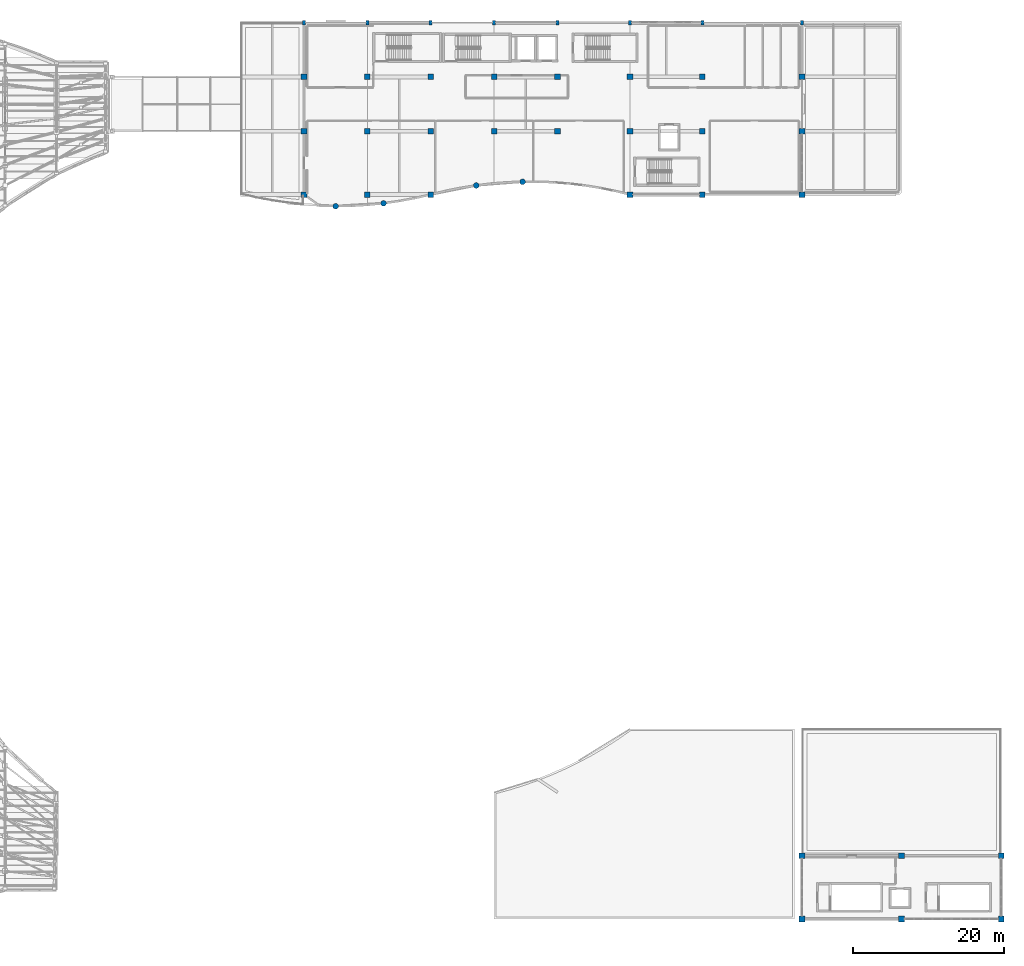
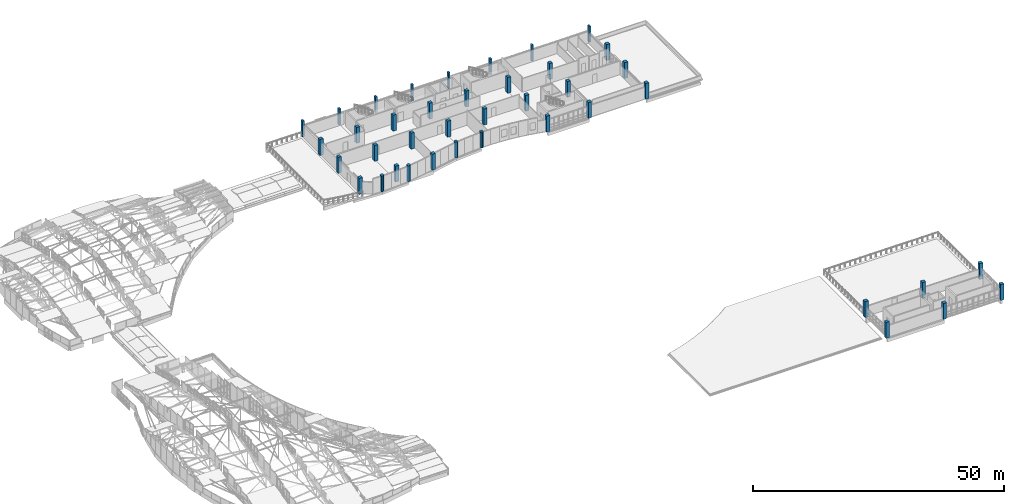
# One storey, part 1 of 188: 40 columns.
"""IFC4 building model written with IfcOpenShell, lengths in metres."""

import ifcopenshell
import ifcopenshell.guid

model = None  # the IFC model being written
_history = None  # IfcOwnerHistory: only IFC2X3 demands one
_inside = {}  # id of a spatial element -> (the spatial element, [elements in it])
_under = {}  # id of a project, library or spatial element -> (it, [spatial elements below it])
_declared = {}  # id of a project -> (the project, [libraries it declares])
_typed = {}  # id of a type object -> (the type object, [elements of that type])
_made_of = {}  # id of a material, layer set ... -> (it, [elements and type objects made of it])


def new_model(schema):
    """Start an empty IFC model of exactly this schema.

    Asked for "IFC4X3", IfcOpenShell would pick the latest addendum, in which some entities
    have other attributes; the version numbers below select the first issue.
    IFC2X3 requires an IfcOwnerHistory on every rooted entity: one is made here for all.
    """
    global model, _history
    if schema == "IFC4X3":
        model = ifcopenshell.file(schema_version=(4, 3, 0, 0))
    else:
        model = ifcopenshell.file(schema=schema)
    _inside.clear()
    _under.clear()
    _declared.clear()
    _typed.clear()
    _made_of.clear()
    _history = None
    if model.schema == "IFC2X3":
        org = make("IfcOrganization", Name="unknown")
        user = make(
            "IfcPersonAndOrganization",
            ThePerson=make("IfcPerson", FamilyName="unknown"),
            TheOrganization=org,
        )
        app = make(
            "IfcApplication",
            ApplicationDeveloper=org,
            Version="unknown",
            ApplicationFullName="unknown",
            ApplicationIdentifier="unknown",
        )
        _history = make(
            "IfcOwnerHistory",
            OwningUser=user,
            OwningApplication=app,
            ChangeAction="ADDED",
            CreationDate=0,
        )
    return model


def make(cls, **values):
    """One entity of the class cls with the attributes given. An attribute that is None is left unset."""
    return model.create_entity(
        cls, **{name: value for name, value in values.items() if value is not None}
    )


def rooted(cls, **values):
    """An entity with a GlobalId (a new one), such as an element, a storey or a relation."""
    return make(cls, GlobalId=ifcopenshell.guid.new(), OwnerHistory=_history, **values)


def si_unit(unit_type, name, prefix=None):
    """IfcSIUnit, for example si_unit("LENGTHUNIT", "METRE", prefix="MILLI")."""
    return make("IfcSIUnit", UnitType=unit_type, Prefix=prefix, Name=name)


def assignment(units):
    """IfcUnitAssignment: the units of a project."""
    return None if units is None else make("IfcUnitAssignment", Units=units)


def point(xyz):
    """IfcCartesianPoint."""
    return None if xyz is None else make("IfcCartesianPoint", Coordinates=xyz)


def direction(xyz):
    """IfcDirection."""
    return None if xyz is None else make("IfcDirection", DirectionRatios=xyz)


def frame(location, z_axis=None, x_axis=None):
    """IfcAxis2Placement3D, a coordinate frame: its origin and axes. An axis left out is left unset."""
    return make(
        "IfcAxis2Placement3D",
        Location=point(location),
        Axis=direction(z_axis),
        RefDirection=direction(x_axis),
    )


def frame_2d(location, x_axis=None):
    """IfcAxis2Placement2D, a coordinate frame in the plane: its origin and x axis."""
    return make(
        "IfcAxis2Placement2D", Location=point(location), RefDirection=direction(x_axis)
    )


def origin():
    """The frame at (0, 0, 0) with its axes left unset."""
    return frame((0.0, 0.0, 0.0))


def origin_2d():
    """The frame at (0, 0) in the plane with its x axis left unset."""
    return frame_2d((0.0, 0.0))


def place(relative_to, where):
    """IfcLocalPlacement: puts the frame where relative to a parent placement (None: the world)."""
    return make(
        "IfcLocalPlacement", PlacementRelTo=relative_to, RelativePlacement=where
    )


def context(
    kind, dimensions, precision=None, world=None, true_north=None, identifier=None
):
    """IfcGeometricRepresentationContext, for example the 3D "Model" context."""
    return make(
        "IfcGeometricRepresentationContext",
        ContextIdentifier=identifier,
        ContextType=kind,
        CoordinateSpaceDimension=dimensions,
        Precision=precision,
        WorldCoordinateSystem=world,
        TrueNorth=true_north,
    )


def subcontext(parent, identifier, kind, view, scale=None):
    """IfcGeometricRepresentationSubContext, for example "Body" below "Model"."""
    return make(
        "IfcGeometricRepresentationSubContext",
        ContextIdentifier=identifier,
        ContextType=kind,
        ParentContext=parent,
        TargetScale=scale,
        TargetView=view,
    )


def project(units=None, contexts=None):
    """IfcProject with its units and contexts."""
    return rooted(
        "IfcProject",
        Name="project",
        RepresentationContexts=contexts,
        UnitsInContext=assignment(units),
    )


def spatial(cls, under=None, at=None, **own):
    """A site, building, storey or space (cls), placed at a placement, below another one or the project."""
    s = rooted(cls, ObjectPlacement=at, **own)
    if under is not None:
        _under.setdefault(under.id(), (under, []))[1].append(s)
    return s


def profile(cls, at=None, kind="AREA", **sizes):
    """A parametric profile (cls). Its sizes go by their IFC names, for example OverallWidth=200.0."""
    return make(cls, ProfileType=kind, Position=at, **sizes)


def rectangle(**sizes):
    """IfcRectangleProfileDef."""
    return profile("IfcRectangleProfileDef", **sizes)


def circle(**sizes):
    """IfcCircleProfileDef."""
    return profile("IfcCircleProfileDef", **sizes)


def extrude(swept, where, along, depth):
    """IfcExtrudedAreaSolid: the profile swept, set in the frame where, extruded along a direction by depth."""
    return make(
        "IfcExtrudedAreaSolid",
        SweptArea=swept,
        Position=where,
        ExtrudedDirection=direction(along),
        Depth=depth,
    )


def shape(context_of_items, identifier, shape_type, items):
    """IfcShapeRepresentation: the items that make up one representation, for example the "Body"."""
    return make(
        "IfcShapeRepresentation",
        ContextOfItems=context_of_items,
        RepresentationIdentifier=identifier,
        RepresentationType=shape_type,
        Items=items,
    )


def material(Name=None, Category=None):
    """IfcMaterial."""
    return make("IfcMaterial", Name=Name, Category=Category)


def material_profile(
    of_material, cross_section, Name=None, Category=None, Priority=None
):
    """IfcMaterialProfile: a cross section and its material."""
    return make(
        "IfcMaterialProfile",
        Name=Name,
        Material=of_material,
        Profile=cross_section,
        Priority=Priority,
        Category=Category,
    )


def profile_set(profiles, Name=None, composite=None):
    """IfcMaterialProfileSet."""
    return make(
        "IfcMaterialProfileSet",
        Name=Name,
        MaterialProfiles=profiles,
        CompositeProfile=composite,
    )


def made_of(thing, what):
    """Note that an element or type object is made of a material, layer set ...; save() writes the relation."""
    if what is not None:
        _made_of.setdefault(what.id(), (what, []))[1].append(thing)
    return thing


def type_object(cls, material=None, **own):
    """A type object (cls), such as IfcWallType, which elements share."""
    return made_of(rooted(cls, **own), material)


def element(
    cls,
    number,
    at=None,
    inside=None,
    cuts=None,
    type_object=None,
    material=None,
    context=None,
    identifier="Body",
    shape_type=None,
    held_by="IfcProductDefinitionShape",
    body=None,
    shapes=None,
    **own,
):
    """One element of the class cls, such as IfcWall. Its Tag is "e" and its number.

    at: its placement. inside: the storey or other place that contains it. cuts: it is an
    opening in that element (IfcRelVoidsElement). A single representation is given by context,
    identifier, shape_type and body (its items); several are given by shapes. held_by: the class
    of the entity that holds the representations. save() writes the other relations.
    """
    e = rooted(cls, Tag="e%d" % number, ObjectPlacement=at, **own)
    if body is not None:
        shapes = [shape(context, identifier, shape_type, body)]
    if shapes is not None:
        e.Representation = make(held_by, Representations=shapes)
    if inside is not None:
        _inside.setdefault(inside.id(), (inside, []))[1].append(e)
    if cuts is not None:
        rooted(
            "IfcRelVoidsElement", RelatingBuildingElement=cuts, RelatedOpeningElement=e
        )
    if type_object is not None:
        _typed.setdefault(type_object.id(), (type_object, []))[1].append(e)
    return made_of(e, material)


def aggregate(whole, parts):
    """IfcRelAggregates: a whole, such as a stair, and the parts it consists of."""
    return rooted("IfcRelAggregates", RelatingObject=whole, RelatedObjects=parts)


def save(model, path):
    """Write the relations noted so far, then the file.

    IfcRelAggregates (storeys below a building ...), IfcRelContainedInSpatialStructure (elements
    in a storey), IfcRelDefinesByType, IfcRelAssociatesMaterial and IfcRelDeclares: one each for
    every whole, place, type object, material and project.
    """
    for whole, parts in _under.values():
        aggregate(whole, parts)
    for where, things in _inside.values():
        rooted(
            "IfcRelContainedInSpatialStructure",
            RelatedElements=things,
            RelatingStructure=where,
        )
    for kind, things in _typed.values():
        rooted("IfcRelDefinesByType", RelatedObjects=things, RelatingType=kind)
    for what, things in _made_of.values():
        rooted("IfcRelAssociatesMaterial", RelatedObjects=things, RelatingMaterial=what)
    for by, libraries in _declared.values():
        rooted("IfcRelDeclares", RelatingContext=by, RelatedDefinitions=libraries)
    model.write(path)


model = new_model("IFC4")

# Units and contexts
model_context = context("Model", 3, precision=1e-05, world=origin(), true_north=direction((0.0, 1.0)))
body_context = subcontext(model_context, "Body", "Model", "MODEL_VIEW")
ifc_project = project(units=[si_unit("LENGTHUNIT", "METRE"), si_unit("AREAUNIT", "SQUARE_METRE"), si_unit("VOLUMEUNIT", "CUBIC_METRE"), si_unit("PLANEANGLEUNIT", "RADIAN"), si_unit("MASSUNIT", "GRAM", prefix="KILO")], contexts=[model_context])

# Site, building, storey
site_placement = place(None, origin())
site = spatial("IfcSite", under=ifc_project, at=site_placement, CompositionType="ELEMENT")
building_placement = place(site_placement, origin())
building = spatial("IfcBuilding", under=site, at=building_placement, Name="Kisaragi Civic Commons", CompositionType="ELEMENT")
storey_placement = place(building_placement, frame((0.0, 0.0, 9.60009765625)))
storey = spatial("IfcBuildingStorey", under=building, at=storey_placement, Name="L02", CompositionType="ELEMENT", Elevation=9.60009765625)

# Columns
ifc_material_1 = material(Name="Concrete Fc36", Category="concrete")
ifc_material_profile_1 = material_profile(ifc_material_1, rectangle(XDim=0.75, YDim=0.75, at=origin_2d()), Name="RC-750x750", Category="concrete")
ifc_profile_set_1 = profile_set([ifc_material_profile_1], Name="Concrete Fc36")
column_type_1 = type_object("IfcColumnType", Name="C-02", PredefinedType="COLUMN", material=ifc_profile_set_1)
for number, where, z_axis, x_axis, name in (
    (1, (80.39990234375, 96.0, 0.0), (0.0, 0.0, 1.0), (1.0, 0.0, 0.0), "L02 column C-02 (80.4,96.0)"),
    (2, (80.39990234375, 104.39990234375, 0.0), (0.0, 0.0, 1.0), (1.0, 0.0, 0.0), "L02 column C-02 (80.4,104.4)"),
    (3, (80.39990234375, 111.60009765625, 0.0), (0.0, 0.0, 1.0), (1.0, 0.0, 0.0), "L02 column C-02 (80.4,111.6)"),
    (4, (88.800048828125, 96.0, 0.0), (0.0, 0.0, 1.0), (1.0, 0.0, 0.0), "L02 column C-02 (88.8,96.0)"),
    (5, (88.800048828125, 104.39990234375, 0.0), (0.0, 0.0, 1.0), (1.0, 0.0, 0.0), "L02 column C-02 (88.8,104.4)"),
    (6, (88.800048828125, 111.60009765625, 0.0), (0.0, 0.0, 1.0), (1.0, 0.0, 0.0), "L02 column C-02 (88.8,111.6)"),
    (7, (97.199951171875, 104.39990234375, 0.0), (0.0, 0.0, 1.0), (1.0, 0.0, 0.0), "L02 column C-02 (97.2,104.4)"),
    (8, (97.199951171875, 111.60009765625, 0.0), (0.0, 0.0, 1.0), (1.0, 0.0, 0.0), "L02 column C-02 (97.2,111.6)"),
    (9, (105.60009765625, 104.39990234375, 0.0), (0.0, 0.0, 1.0), (1.0, 0.0, 0.0), "L02 column C-02 (105.6,104.4)"),
    (10, (105.60009765625, 111.60009765625, 0.0), (0.0, 0.0, 1.0), (1.0, 0.0, 0.0), "L02 column C-02 (105.6,111.6)"),
    (11, (114.0, 104.39990234375, 0.0), (0.0, 0.0, 1.0), (1.0, 0.0, 0.0), "L02 column C-02 (114.0,104.4)"),
    (12, (114.0, 111.60009765625, 0.0), (0.0, 0.0, 1.0), (1.0, 0.0, 0.0), "L02 column C-02 (114.0,111.6)"),
    (13, (123.60009765625, 104.39990234375, 0.0), (0.0, 0.0, 1.0), (1.0, 0.0, 0.0), "L02 column C-02 (123.6,104.4)"),
    (14, (123.60009765625, 111.60009765625, 0.0), (0.0, 0.0, 1.0), (1.0, 0.0, 0.0), "L02 column C-02 (123.6,111.6)"),
    (15, (133.199951171875, 104.39990234375, 0.0), (0.0, 0.0, 1.0), (1.0, 0.0, 0.0), "L02 column C-02 (133.2,104.4)"),
    (16, (133.199951171875, 111.60009765625, 0.0), (0.0, 0.0, 1.0), (1.0, 0.0, 0.0), "L02 column C-02 (133.2,111.6)"),
    (17, (146.39990234375, 8.39990234375, 0.0), (0.0, 0.0, 1.0), (1.0, 0.0, 0.0), "L02 column C-02 (146.4,8.4)"),
    (18, (146.39990234375, 104.39990234375, 0.0), (0.0, 0.0, 1.0), (1.0, 0.0, 0.0), "L02 column C-02 (146.4,104.4)"),
    (19, (146.39990234375, 111.60009765625, 0.0), (0.0, 0.0, 1.0), (1.0, 0.0, 0.0), "L02 column C-02 (146.4,111.6)"),
    (20, (159.60009765625, 8.39990234375, 0.0), (0.0, 0.0, 1.0), (1.0, 0.0, 0.0), "L02 column C-02 (159.6,8.4)"),
):
    element("IfcColumn", number, at=place(storey_placement, frame(where, z_axis=z_axis, x_axis=x_axis)), inside=storey, type_object=column_type_1, Name=name, PredefinedType="COLUMN", context=body_context, shape_type="SweptSolid", body=[
        extrude(rectangle(XDim=0.75, YDim=0.75, at=origin_2d()), origin(), (0.0, 0.0, 1.0), 3.89990234375),
    ])
ifc_material_profile_2 = material_profile(ifc_material_1, rectangle(XDim=0.75, YDim=0.75, at=origin_2d()), Name="RC-750x750", Category="concrete")
ifc_profile_set_2 = profile_set([ifc_material_profile_2], Name="Concrete Fc36")
column_type_2 = type_object("IfcColumnType", Name="C-06", PredefinedType="COLUMN", material=ifc_profile_set_2)
for number, where, z_axis, x_axis, name in (
    (21, (97.199951171875, 96.0, 0.0), (0.0, 0.0, 1.0), (1.0, 0.0, 0.0), "L02 column C-06 (97.2,96.0)"),
    (22, (123.60009765625, 96.0, 0.0), (0.0, 0.0, 1.0), (1.0, 0.0, 0.0), "L02 column C-06 (123.6,96.0)"),
    (23, (133.199951171875, 96.0, 0.0), (0.0, 0.0, 1.0), (1.0, 0.0, 0.0), "L02 column C-06 (133.2,96.0)"),
    (24, (146.39990234375, 0.0, 0.0), (0.0, 0.0, 1.0), (1.0, 0.0, 0.0), "L02 column C-06 (146.4,0.0)"),
    (25, (146.39990234375, 96.0, 0.0), (0.0, 0.0, 1.0), (1.0, 0.0, 0.0), "L02 column C-06 (146.4,96.0)"),
    (26, (159.60009765625, 0.0, 0.0), (0.0, 0.0, 1.0), (1.0, 0.0, 0.0), "L02 column C-06 (159.6,0.0)"),
    (27, (172.800048828125, 0.0, 0.0), (0.0, 0.0, 1.0), (1.0, 0.0, 0.0), "L02 column C-06 (172.8,0.0)"),
    (28, (172.800048828125, 8.39990234375, 0.0), (0.0, 0.0, 1.0), (1.0, 0.0, 0.0), "L02 column C-06 (172.8,8.4)"),
):
    element("IfcColumn", number, at=place(storey_placement, frame(where, z_axis=z_axis, x_axis=x_axis)), inside=storey, type_object=column_type_2, Name=name, PredefinedType="COLUMN", context=body_context, shape_type="SweptSolid", body=[
        extrude(rectangle(XDim=0.75, YDim=0.75, at=origin_2d()), origin(), (0.0, 0.0, 1.0), 3.89990234375),
    ])
ifc_material_profile_3 = material_profile(ifc_material_1, circle(Radius=0.375, at=origin_2d()), Name="RC-D750", Category="concrete")
ifc_profile_set_3 = profile_set([ifc_material_profile_3], Name="Concrete Fc36")
column_type_3 = type_object("IfcColumnType", Name="C-24", PredefinedType="COLUMN", material=ifc_profile_set_3)
for number, where, z_axis, x_axis, name in (
    (29, (84.60009765625, 94.450439453125, 0.0), (0.0, 0.0, 1.0), (1.0, 0.0, 0.0), "L02 column C-24 (84.6,94.5)"),
    (30, (90.947509765625, 94.839111328125, 0.0), (0.0, 0.0, 1.0), (1.0, 0.0, 0.0), "L02 column C-24 (90.9,94.8)"),
    (31, (103.236572265625, 97.20751953125, 0.0), (0.0, 0.0, 1.0), (1.0, 0.0, 0.0), "L02 column C-24 (103.2,97.2)"),
    (32, (109.373291015625, 97.693115234375, 0.0), (0.0, 0.0, 1.0), (1.0, 0.0, 0.0), "L02 column C-24 (109.4,97.7)"),
):
    element("IfcColumn", number, at=place(storey_placement, frame(where, z_axis=z_axis, x_axis=x_axis)), inside=storey, type_object=column_type_3, Name=name, PredefinedType="COLUMN", context=body_context, shape_type="SweptSolid", body=[
        extrude(circle(Radius=0.375, at=origin_2d()), origin(), (0.0, 0.0, 1.0), 3.89990234375),
    ])
ifc_material_2 = material(Name="Precast concrete Fc36", Category="concrete")
ifc_material_profile_4 = material_profile(ifc_material_2, rectangle(XDim=0.39990234375, YDim=0.60009765625, at=origin_2d()), Name="RC-400x600", Category="concrete")
ifc_profile_set_4 = profile_set([ifc_material_profile_4], Name="Precast concrete Fc36")
column_type_4 = type_object("IfcColumnType", Name="PL-01", PredefinedType="PILASTER", material=ifc_profile_set_4)
for number, where, z_axis, x_axis, name in (
    (33, (80.39990234375, 118.800048828125, 0.0), (0.0, 0.0, 1.0), (1.0, 0.0, 0.0), "L02 column PL-01 (80.4,118.8)"),
    (34, (88.800048828125, 118.800048828125, 0.0), (0.0, 0.0, 1.0), (1.0, 0.0, 0.0), "L02 column PL-01 (88.8,118.8)"),
    (35, (97.199951171875, 118.800048828125, 0.0), (0.0, 0.0, 1.0), (1.0, 0.0, 0.0), "L02 column PL-01 (97.2,118.8)"),
    (36, (105.60009765625, 118.800048828125, 0.0), (0.0, 0.0, 1.0), (1.0, 0.0, 0.0), "L02 column PL-01 (105.6,118.8)"),
    (37, (114.0, 118.800048828125, 0.0), (0.0, 0.0, 1.0), (1.0, 0.0, 0.0), "L02 column PL-01 (114.0,118.8)"),
    (38, (123.60009765625, 118.800048828125, 0.0), (0.0, 0.0, 1.0), (1.0, 0.0, 0.0), "L02 column PL-01 (123.6,118.8)"),
    (39, (133.199951171875, 118.800048828125, 0.0), (0.0, 0.0, 1.0), (1.0, 0.0, 0.0), "L02 column PL-01 (133.2,118.8)"),
    (40, (146.39990234375, 118.800048828125, 0.0), (0.0, 0.0, 1.0), (1.0, 0.0, 0.0), "L02 column PL-01 (146.4,118.8)"),
):
    element("IfcColumn", number, at=place(storey_placement, frame(where, z_axis=z_axis, x_axis=x_axis)), inside=storey, type_object=column_type_4, Name=name, PredefinedType="PILASTER", context=body_context, shape_type="SweptSolid", body=[
        extrude(rectangle(XDim=0.39990234375, YDim=0.60009765625, at=origin_2d()), origin(), (0.0, 0.0, 1.0), 3.89990234375),
    ])

save(model, "model.ifc")
